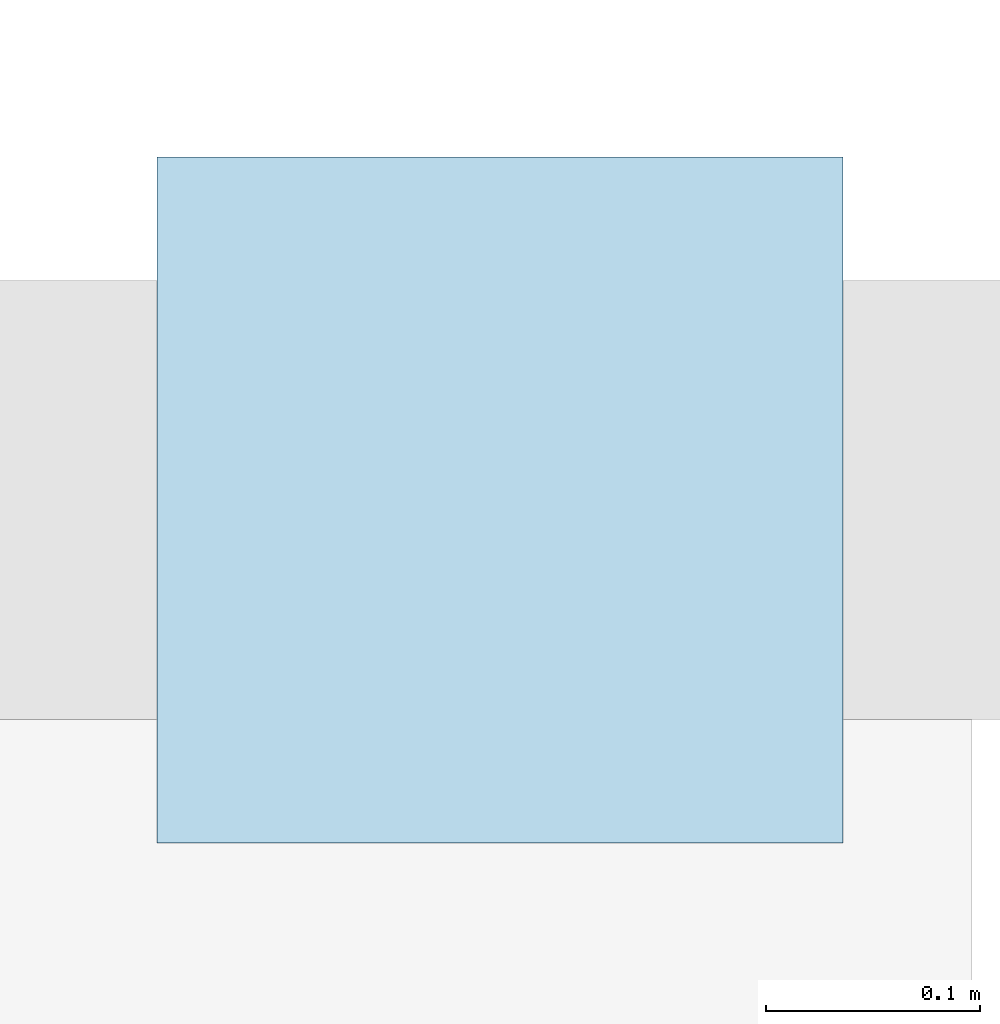
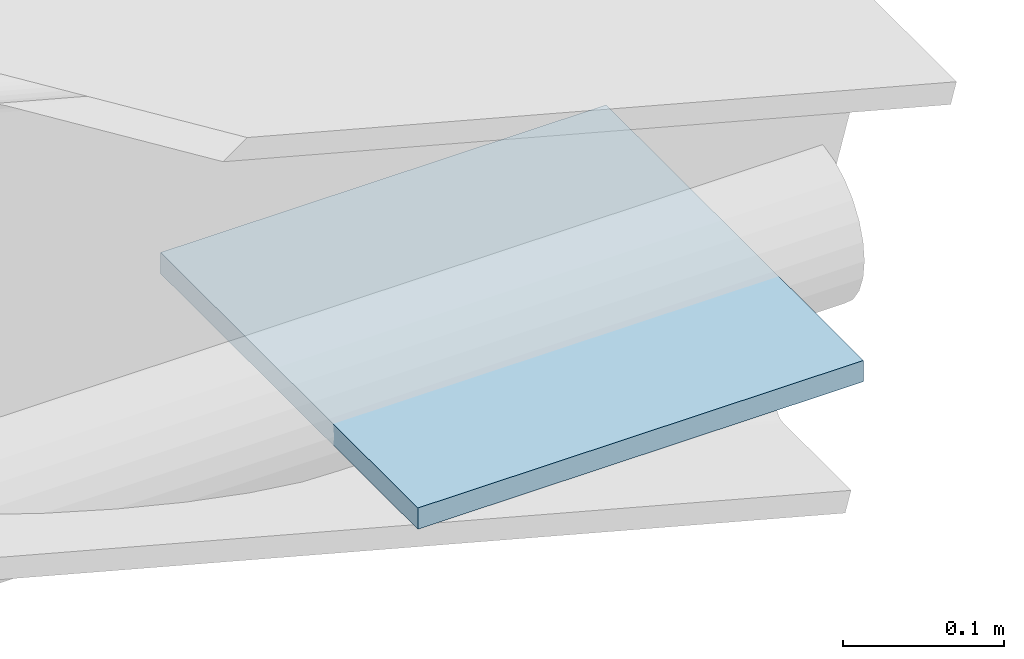
# One storey, part 25 of 42: 1 plate.
"""IFC4 building model written with IfcOpenShell, lengths in metres."""

from ifc_helpers import new_model, si_unit, derived_unit, direction, frame, origin, origin_2d, place, context, subcontext, project, spatial, rectangle, extrude, material, layer, layer_set, type_object, element, save


model = new_model("IFC4")

# Units and contexts
model_context = context("Model", 3, precision=1e-05, world=origin(), true_north=direction((0.0, 1.0)))
body_context = subcontext(model_context, "Body", "Model", "MODEL_VIEW")
ifc_project = project(units=[si_unit("LENGTHUNIT", "METRE"), si_unit("AREAUNIT", "SQUARE_METRE"), si_unit("VOLUMEUNIT", "CUBIC_METRE"), si_unit("PLANEANGLEUNIT", "RADIAN"), si_unit("MASSUNIT", "GRAM", prefix="KILO"), derived_unit("THERMALTRANSMITTANCEUNIT", [(si_unit("POWERUNIT", "WATT"), 1), (si_unit("LENGTHUNIT", "METRE"), -2), (si_unit("THERMODYNAMICTEMPERATUREUNIT", "KELVIN"), -1)])], contexts=[model_context])

# Site, building, storey
site_placement = place(None, origin())
site = spatial("IfcSite", under=ifc_project, at=site_placement, CompositionType="ELEMENT")
building_placement = place(site_placement, origin())
building = spatial("IfcBuilding", under=site, at=building_placement, Name="Barrovel Congress Hotel", CompositionType="ELEMENT")
storey_placement = place(building_placement, frame((0.0, 0.0, 18.300048828125)))
storey = spatial("IfcBuildingStorey", under=building, at=storey_placement, Name="L04", CompositionType="ELEMENT", Elevation=18.300048828125)

# Plate
ifc_material = material(Name="Steel ASTM A992 Grade 50", Category="steel")
ifc_layer = layer(ifc_material, 0.01611328125)
ifc_layer_set = layer_set([ifc_layer], Name="Steel ASTM A992 Grade 50")
plate_type = type_object("IfcPlateType", Name="GP-16", PredefinedType="SHEET", material=ifc_layer_set)
plate_placement = place(storey_placement, frame((33.3798828125, 105.0, -0.9580078125), z_axis=(0.0, 0.0, 1.0), x_axis=(1.0, 0.0, 0.0)))
element("IfcPlate", 1, at=plate_placement, inside=storey, type_object=plate_type, Name="V1-RAF-EGP:8:E", PredefinedType="SHEET", context=body_context, shape_type="SweptSolid", body=[
    extrude(rectangle(XDim=0.320068359375, YDim=0.320068359375, at=origin_2d()), origin(), (0.0, 0.0, 1.0), 0.01611328125),
])

save(model, "model.ifc")
